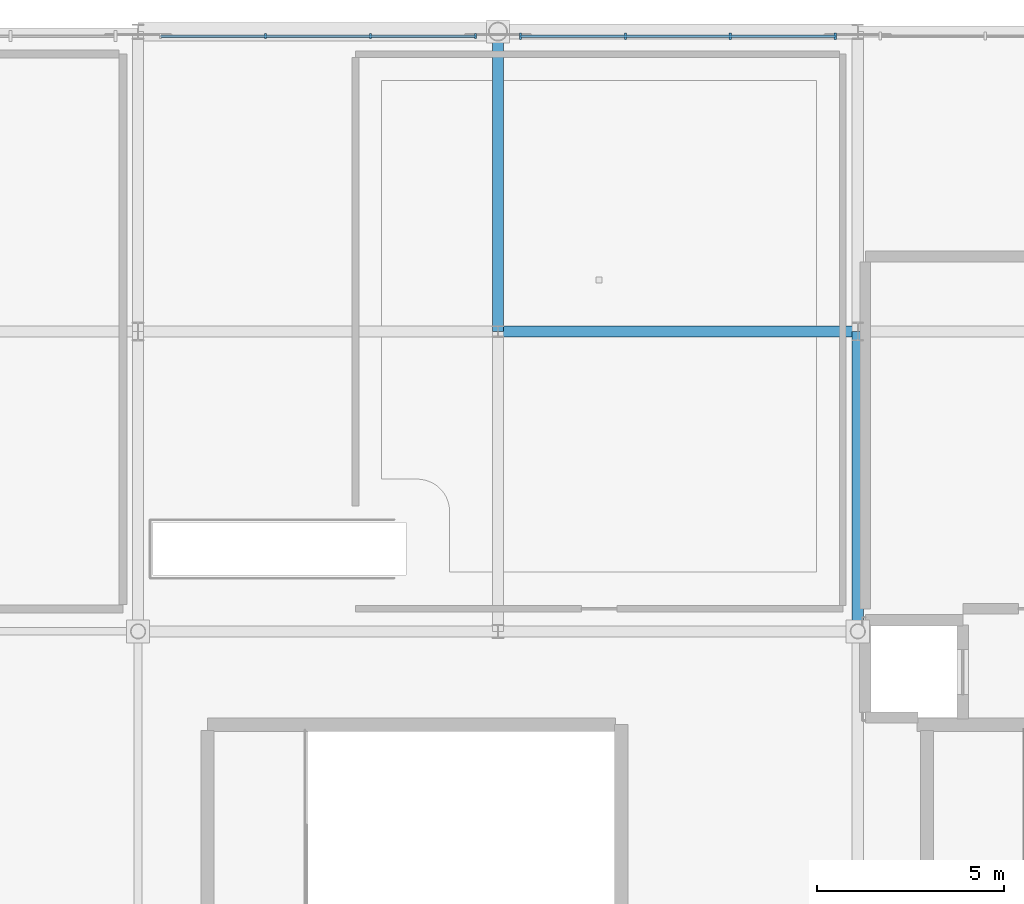
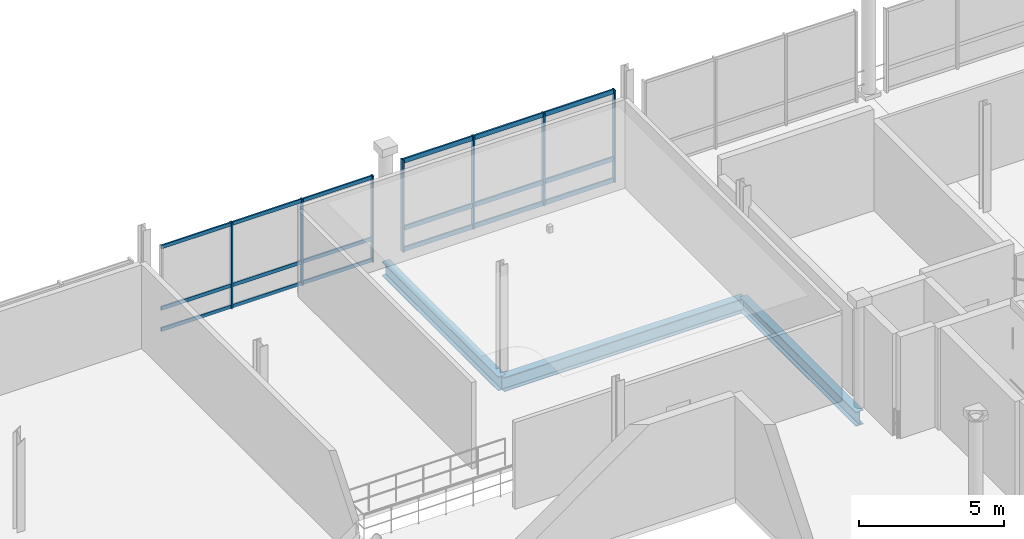
# One storey, part 8 of 26: 13 members, 3 beams, 2 elements without a shape of their own.
"""IFC4 building model written with IfcOpenShell, lengths in metres."""

import ifcopenshell
import ifcopenshell.guid

model = None  # the IFC model being written
_history = None  # IfcOwnerHistory: only IFC2X3 demands one
_inside = {}  # id of a spatial element -> (the spatial element, [elements in it])
_under = {}  # id of a project, library or spatial element -> (it, [spatial elements below it])
_declared = {}  # id of a project -> (the project, [libraries it declares])
_typed = {}  # id of a type object -> (the type object, [elements of that type])
_made_of = {}  # id of a material, layer set ... -> (it, [elements and type objects made of it])


def new_model(schema):
    """Start an empty IFC model of exactly this schema.

    Asked for "IFC4X3", IfcOpenShell would pick the latest addendum, in which some entities
    have other attributes; the version numbers below select the first issue.
    IFC2X3 requires an IfcOwnerHistory on every rooted entity: one is made here for all.
    """
    global model, _history
    if schema == "IFC4X3":
        model = ifcopenshell.file(schema_version=(4, 3, 0, 0))
    else:
        model = ifcopenshell.file(schema=schema)
    _inside.clear()
    _under.clear()
    _declared.clear()
    _typed.clear()
    _made_of.clear()
    _history = None
    if model.schema == "IFC2X3":
        org = make("IfcOrganization", Name="unknown")
        user = make(
            "IfcPersonAndOrganization",
            ThePerson=make("IfcPerson", FamilyName="unknown"),
            TheOrganization=org,
        )
        app = make(
            "IfcApplication",
            ApplicationDeveloper=org,
            Version="unknown",
            ApplicationFullName="unknown",
            ApplicationIdentifier="unknown",
        )
        _history = make(
            "IfcOwnerHistory",
            OwningUser=user,
            OwningApplication=app,
            ChangeAction="ADDED",
            CreationDate=0,
        )
    return model


def make(cls, **values):
    """One entity of the class cls with the attributes given. An attribute that is None is left unset."""
    return model.create_entity(
        cls, **{name: value for name, value in values.items() if value is not None}
    )


def rooted(cls, **values):
    """An entity with a GlobalId (a new one), such as an element, a storey or a relation."""
    return make(cls, GlobalId=ifcopenshell.guid.new(), OwnerHistory=_history, **values)


def si_unit(unit_type, name, prefix=None):
    """IfcSIUnit, for example si_unit("LENGTHUNIT", "METRE", prefix="MILLI")."""
    return make("IfcSIUnit", UnitType=unit_type, Prefix=prefix, Name=name)


def assignment(units):
    """IfcUnitAssignment: the units of a project."""
    return None if units is None else make("IfcUnitAssignment", Units=units)


def point(xyz):
    """IfcCartesianPoint."""
    return None if xyz is None else make("IfcCartesianPoint", Coordinates=xyz)


def direction(xyz):
    """IfcDirection."""
    return None if xyz is None else make("IfcDirection", DirectionRatios=xyz)


def frame(location, z_axis=None, x_axis=None):
    """IfcAxis2Placement3D, a coordinate frame: its origin and axes. An axis left out is left unset."""
    return make(
        "IfcAxis2Placement3D",
        Location=point(location),
        Axis=direction(z_axis),
        RefDirection=direction(x_axis),
    )


def frame_2d(location, x_axis=None):
    """IfcAxis2Placement2D, a coordinate frame in the plane: its origin and x axis."""
    return make(
        "IfcAxis2Placement2D", Location=point(location), RefDirection=direction(x_axis)
    )


def origin():
    """The frame at (0, 0, 0) with its axes left unset."""
    return frame((0.0, 0.0, 0.0))


def origin_2d():
    """The frame at (0, 0) in the plane with its x axis left unset."""
    return frame_2d((0.0, 0.0))


def place(relative_to, where):
    """IfcLocalPlacement: puts the frame where relative to a parent placement (None: the world)."""
    return make(
        "IfcLocalPlacement", PlacementRelTo=relative_to, RelativePlacement=where
    )


def context(
    kind, dimensions, precision=None, world=None, true_north=None, identifier=None
):
    """IfcGeometricRepresentationContext, for example the 3D "Model" context."""
    return make(
        "IfcGeometricRepresentationContext",
        ContextIdentifier=identifier,
        ContextType=kind,
        CoordinateSpaceDimension=dimensions,
        Precision=precision,
        WorldCoordinateSystem=world,
        TrueNorth=true_north,
    )


def subcontext(parent, identifier, kind, view, scale=None):
    """IfcGeometricRepresentationSubContext, for example "Body" below "Model"."""
    return make(
        "IfcGeometricRepresentationSubContext",
        ContextIdentifier=identifier,
        ContextType=kind,
        ParentContext=parent,
        TargetScale=scale,
        TargetView=view,
    )


def project(units=None, contexts=None):
    """IfcProject with its units and contexts."""
    return rooted(
        "IfcProject",
        Name="project",
        RepresentationContexts=contexts,
        UnitsInContext=assignment(units),
    )


def spatial(cls, under=None, at=None, **own):
    """A site, building, storey or space (cls), placed at a placement, below another one or the project."""
    s = rooted(cls, ObjectPlacement=at, **own)
    if under is not None:
        _under.setdefault(under.id(), (under, []))[1].append(s)
    return s


def profile(cls, at=None, kind="AREA", **sizes):
    """A parametric profile (cls). Its sizes go by their IFC names, for example OverallWidth=200.0."""
    return make(cls, ProfileType=kind, Position=at, **sizes)


def rectangle(**sizes):
    """IfcRectangleProfileDef."""
    return profile("IfcRectangleProfileDef", **sizes)


def i_section(**sizes):
    """IfcIShapeProfileDef."""
    return profile("IfcIShapeProfileDef", **sizes)


def extrude(swept, where, along, depth):
    """IfcExtrudedAreaSolid: the profile swept, set in the frame where, extruded along a direction by depth."""
    return make(
        "IfcExtrudedAreaSolid",
        SweptArea=swept,
        Position=where,
        ExtrudedDirection=direction(along),
        Depth=depth,
    )


def shape(context_of_items, identifier, shape_type, items):
    """IfcShapeRepresentation: the items that make up one representation, for example the "Body"."""
    return make(
        "IfcShapeRepresentation",
        ContextOfItems=context_of_items,
        RepresentationIdentifier=identifier,
        RepresentationType=shape_type,
        Items=items,
    )


def material(Name=None, Category=None):
    """IfcMaterial."""
    return make("IfcMaterial", Name=Name, Category=Category)


def material_profile(
    of_material, cross_section, Name=None, Category=None, Priority=None
):
    """IfcMaterialProfile: a cross section and its material."""
    return make(
        "IfcMaterialProfile",
        Name=Name,
        Material=of_material,
        Profile=cross_section,
        Priority=Priority,
        Category=Category,
    )


def profile_set(profiles, Name=None, composite=None):
    """IfcMaterialProfileSet."""
    return make(
        "IfcMaterialProfileSet",
        Name=Name,
        MaterialProfiles=profiles,
        CompositeProfile=composite,
    )


def made_of(thing, what):
    """Note that an element or type object is made of a material, layer set ...; save() writes the relation."""
    if what is not None:
        _made_of.setdefault(what.id(), (what, []))[1].append(thing)
    return thing


def type_object(cls, material=None, **own):
    """A type object (cls), such as IfcWallType, which elements share."""
    return made_of(rooted(cls, **own), material)


def element(
    cls,
    number,
    at=None,
    inside=None,
    cuts=None,
    type_object=None,
    material=None,
    context=None,
    identifier="Body",
    shape_type=None,
    held_by="IfcProductDefinitionShape",
    body=None,
    shapes=None,
    **own,
):
    """One element of the class cls, such as IfcWall. Its Tag is "e" and its number.

    at: its placement. inside: the storey or other place that contains it. cuts: it is an
    opening in that element (IfcRelVoidsElement). A single representation is given by context,
    identifier, shape_type and body (its items); several are given by shapes. held_by: the class
    of the entity that holds the representations. save() writes the other relations.
    """
    e = rooted(cls, Tag="e%d" % number, ObjectPlacement=at, **own)
    if body is not None:
        shapes = [shape(context, identifier, shape_type, body)]
    if shapes is not None:
        e.Representation = make(held_by, Representations=shapes)
    if inside is not None:
        _inside.setdefault(inside.id(), (inside, []))[1].append(e)
    if cuts is not None:
        rooted(
            "IfcRelVoidsElement", RelatingBuildingElement=cuts, RelatedOpeningElement=e
        )
    if type_object is not None:
        _typed.setdefault(type_object.id(), (type_object, []))[1].append(e)
    return made_of(e, material)


def aggregate(whole, parts):
    """IfcRelAggregates: a whole, such as a stair, and the parts it consists of."""
    return rooted("IfcRelAggregates", RelatingObject=whole, RelatedObjects=parts)


def save(model, path):
    """Write the relations noted so far, then the file.

    IfcRelAggregates (storeys below a building ...), IfcRelContainedInSpatialStructure (elements
    in a storey), IfcRelDefinesByType, IfcRelAssociatesMaterial and IfcRelDeclares: one each for
    every whole, place, type object, material and project.
    """
    for whole, parts in _under.values():
        aggregate(whole, parts)
    for where, things in _inside.values():
        rooted(
            "IfcRelContainedInSpatialStructure",
            RelatedElements=things,
            RelatingStructure=where,
        )
    for kind, things in _typed.values():
        rooted("IfcRelDefinesByType", RelatedObjects=things, RelatingType=kind)
    for what, things in _made_of.values():
        rooted("IfcRelAssociatesMaterial", RelatedObjects=things, RelatingMaterial=what)
    for by, libraries in _declared.values():
        rooted("IfcRelDeclares", RelatingContext=by, RelatedDefinitions=libraries)
    model.write(path)


model = new_model("IFC4")

# Units and contexts
model_context = context("Model", 3, precision=1e-05, world=origin(), true_north=direction((0.0, 1.0)))
body_context = subcontext(model_context, "Body", "Model", "MODEL_VIEW")
ifc_project = project(units=[si_unit("LENGTHUNIT", "METRE"), si_unit("AREAUNIT", "SQUARE_METRE"), si_unit("VOLUMEUNIT", "CUBIC_METRE"), si_unit("PLANEANGLEUNIT", "RADIAN"), si_unit("MASSUNIT", "GRAM", prefix="KILO")], contexts=[model_context])

# Site, building, storey
site_placement = place(None, origin())
site = spatial("IfcSite", under=ifc_project, at=site_placement, CompositionType="ELEMENT")
building_placement = place(site_placement, origin())
building = spatial("IfcBuilding", under=site, at=building_placement, Name="Danafjord Basin Convention Centre", CompositionType="ELEMENT")
storey_placement = place(building_placement, frame((0.0, 0.0, 24.89990234375)))
storey = spatial("IfcBuildingStorey", under=building, at=storey_placement, Name="L05", CompositionType="ELEMENT", Elevation=24.89990234375)

# Beams
ifc_material_1 = material(Name="Steel S355", Category="steel")
ifc_material_profile_1 = material_profile(ifc_material_1, i_section(OverallWidth=0.300048828125, OverallDepth=0.60009765625, WebThickness=0.015380859375, FlangeThickness=0.030029296875, FilletRadius=0.027099609375, at=origin_2d()), Name="HEB 600")
ifc_profile_set_1 = profile_set([ifc_material_profile_1], Name="Steel S355")
beam_type = type_object("IfcBeamType", Name="BEAM-BM-HEB600", PredefinedType="BEAM", material=ifc_profile_set_1)
beam_placement = place(storey_placement, frame((38.39990234375, 32.0, -0.5498046875), z_axis=(1.0, 0.0, 0.0), x_axis=(0.0, 1.0, 0.0)))
element("IfcBeam", 1, at=beam_placement, inside=storey, type_object=beam_type, Name="L05 girder BM-HEB600", PredefinedType="BEAM", context=body_context, shape_type="SweptSolid", body=[
    extrude(i_section(OverallWidth=0.300048828125, OverallDepth=0.60009765625, WebThickness=0.015380859375, FlangeThickness=0.030029296875, FilletRadius=0.027099609375, at=origin_2d()), origin(), (0.0, 0.0, 1.0), 9.60009765625),
])
for number, where, z_axis, x_axis, name in (
    (2, (38.39990234375, 32.0, -0.5498046875), (0.0, 1.0, 0.0), (-1.0, 0.0, 0.0), "L05 transverse girder BM-HEB600"),
    (3, (48.0, 24.0, -0.5498046875), (0.0, 1.0, 0.0), (-1.0, 0.0, 0.0), "L05 transverse girder BM-HEB600"),
):
    element("IfcBeam", number, at=place(storey_placement, frame(where, z_axis=z_axis, x_axis=x_axis)), inside=storey, type_object=beam_type, Name=name, PredefinedType="BEAM", context=body_context, shape_type="SweptSolid", body=[
        extrude(i_section(OverallWidth=0.300048828125, OverallDepth=0.60009765625, WebThickness=0.015380859375, FlangeThickness=0.030029296875, FilletRadius=0.027099609375, at=origin_2d()), origin(), (0.0, 0.0, 1.0), 8.0),
    ])

# Curtain wall, members
ifc_material_2 = material(Name="Anodised aluminium and triple glazing", Category="aluminium")
curtain_wall_type = type_object("IfcCurtainWallType", Name="CW-CW-TERR", PredefinedType="NOTDEFINED", material=ifc_material_2)
curtain_wall_1_placement = place(storey_placement, origin())
curtain_wall_1 = element("IfcCurtainWall", 4, at=curtain_wall_1_placement, inside=storey, type_object=curtain_wall_type, Name="L05 CW-TERR unitised curtain wall bay 100", PredefinedType="NOTDEFINED")
ifc_material_3 = material(Name="Anodised aluminium EN AW-6060", Category="aluminium")
ifc_material_profile_2 = material_profile(ifc_material_3, rectangle(XDim=0.06005859375, YDim=0.139892578125, at=origin_2d()), Name="MULL 60x140")
ifc_profile_set_2 = profile_set([ifc_material_profile_2], Name="Anodised aluminium EN AW-6060")
member_type_1 = type_object("IfcMemberType", Name="MEM-ML-140", PredefinedType="MULLION", material=ifc_profile_set_2)
member_1_placement = place(storey_placement, frame((37.800048828125, 39.8798828125, -0.02490234375), z_axis=(0.0, 0.0, 1.0), x_axis=(-1.0, 0.0, 0.0)))
member_1 = element("IfcMember", 5, at=member_1_placement, type_object=member_type_1, Name="CW-L05-100 mullion 1", PredefinedType="MULLION", context=body_context, shape_type="SweptSolid", body=[
    extrude(rectangle(XDim=0.06005859375, YDim=0.139892578125, at=origin_2d()), origin(), (0.0, 0.0, 1.0), 3.625),
])
member_2_placement = place(storey_placement, frame((35.0, 39.8798828125, -0.02490234375), z_axis=(0.0, 0.0, 1.0), x_axis=(-1.0, 0.0, 0.0)))
member_2 = element("IfcMember", 6, at=member_2_placement, type_object=member_type_1, Name="CW-L05-100 mullion 2", PredefinedType="MULLION", context=body_context, shape_type="SweptSolid", body=[
    extrude(rectangle(XDim=0.06005859375, YDim=0.139892578125, at=origin_2d()), origin(), (0.0, 0.0, 1.0), 3.625),
])
member_3_placement = place(storey_placement, frame((32.199951171875, 39.8798828125, -0.02490234375), z_axis=(0.0, 0.0, 1.0), x_axis=(-1.0, 0.0, 0.0)))
member_3 = element("IfcMember", 7, at=member_3_placement, type_object=member_type_1, Name="CW-L05-100 mullion 3", PredefinedType="MULLION", context=body_context, shape_type="SweptSolid", body=[
    extrude(rectangle(XDim=0.06005859375, YDim=0.139892578125, at=origin_2d()), origin(), (0.0, 0.0, 1.0), 3.625),
])

curtain_wall_2_placement = place(storey_placement, origin())
curtain_wall_2 = element("IfcCurtainWall", 8, at=curtain_wall_2_placement, inside=storey, type_object=curtain_wall_type, Name="L05 CW-TERR unitised curtain wall bay 101", PredefinedType="NOTDEFINED")
ifc_material_profile_3 = material_profile(ifc_material_3, rectangle(XDim=0.06005859375, YDim=0.179931640625, at=origin_2d()), Name="MULL 60x180")
ifc_profile_set_3 = profile_set([ifc_material_profile_3], Name="Anodised aluminium EN AW-6060")
member_type_2 = type_object("IfcMemberType", Name="MEM-ML-180", PredefinedType="MULLION", material=ifc_profile_set_3)
member_4_placement = place(storey_placement, frame((47.39990234375, 39.8798828125, -0.02490234375), z_axis=(0.0, 0.0, 1.0), x_axis=(-1.0, 0.0, 0.0)))
member_4 = element("IfcMember", 9, at=member_4_placement, type_object=member_type_2, Name="CW-L05-101 mullion 1", PredefinedType="MULLION", context=body_context, shape_type="SweptSolid", body=[
    extrude(rectangle(XDim=0.06005859375, YDim=0.179931640625, at=origin_2d()), origin(), (0.0, 0.0, 1.0), 3.875),
])
member_5_placement = place(storey_placement, frame((44.60009765625, 39.8798828125, -0.02490234375), z_axis=(0.0, 0.0, 1.0), x_axis=(-1.0, 0.0, 0.0)))
member_5 = element("IfcMember", 10, at=member_5_placement, type_object=member_type_2, Name="CW-L05-101 mullion 2", PredefinedType="MULLION", context=body_context, shape_type="SweptSolid", body=[
    extrude(rectangle(XDim=0.06005859375, YDim=0.179931640625, at=origin_2d()), origin(), (0.0, 0.0, 1.0), 3.875),
])
member_6_placement = place(storey_placement, frame((41.800048828125, 39.8798828125, -0.02490234375), z_axis=(0.0, 0.0, 1.0), x_axis=(-1.0, 0.0, 0.0)))
member_6 = element("IfcMember", 11, at=member_6_placement, type_object=member_type_2, Name="CW-L05-101 mullion 3", PredefinedType="MULLION", context=body_context, shape_type="SweptSolid", body=[
    extrude(rectangle(XDim=0.06005859375, YDim=0.179931640625, at=origin_2d()), origin(), (0.0, 0.0, 1.0), 3.875),
])
member_7_placement = place(storey_placement, frame((39.0, 39.8798828125, -0.02490234375), z_axis=(0.0, 0.0, 1.0), x_axis=(-1.0, 0.0, 0.0)))
member_7 = element("IfcMember", 12, at=member_7_placement, type_object=member_type_2, Name="CW-L05-101 mullion 4", PredefinedType="MULLION", context=body_context, shape_type="SweptSolid", body=[
    extrude(rectangle(XDim=0.06005859375, YDim=0.179931640625, at=origin_2d()), origin(), (0.0, 0.0, 1.0), 3.875),
])

# Member
ifc_material_profile_4 = material_profile(ifc_material_3, rectangle(XDim=0.06005859375, YDim=0.14990234375, at=origin_2d()), Name="TRAN 60x150")
ifc_profile_set_4 = profile_set([ifc_material_profile_4], Name="Anodised aluminium EN AW-6060")
member_type_3 = type_object("IfcMemberType", Name="MEM-TR-150", PredefinedType="USERDEFINED", material=ifc_profile_set_4)
member_8_placement = place(storey_placement, frame((37.800048828125, 39.8798828125, 0.06005859375), z_axis=(-1.0, 0.0, 0.0), x_axis=(0.0, -1.0, 0.0)))
member_8 = element("IfcMember", 13, at=member_8_placement, type_object=member_type_3, Name="CW-L05-100 transom 1", ObjectType="TRANSOM", PredefinedType="USERDEFINED", context=body_context, shape_type="SweptSolid", body=[
    extrude(rectangle(XDim=0.06005859375, YDim=0.14990234375, at=origin_2d()), origin(), (0.0, 0.0, 1.0), 8.400146484375),
])

member_9_placement = place(storey_placement, frame((37.800048828125, 39.8798828125, 0.9501953125), z_axis=(-1.0, 0.0, 0.0), x_axis=(0.0, -1.0, 0.0)))
member_9 = element("IfcMember", 14, at=member_9_placement, type_object=member_type_3, Name="CW-L05-100 transom 2", ObjectType="TRANSOM", PredefinedType="USERDEFINED", context=body_context, shape_type="SweptSolid", body=[
    extrude(rectangle(XDim=0.06005859375, YDim=0.14990234375, at=origin_2d()), origin(), (0.0, 0.0, 1.0), 8.400146484375),
])

member_10_placement = place(storey_placement, frame((37.800048828125, 39.8798828125, 3.530029296875), z_axis=(-1.0, 0.0, 0.0), x_axis=(0.0, -1.0, 0.0)))
member_10 = element("IfcMember", 15, at=member_10_placement, type_object=member_type_3, Name="CW-L05-100 transom 3", ObjectType="TRANSOM", PredefinedType="USERDEFINED", context=body_context, shape_type="SweptSolid", body=[
    extrude(rectangle(XDim=0.06005859375, YDim=0.14990234375, at=origin_2d()), origin(), (0.0, 0.0, 1.0), 8.400146484375),
])

aggregate(curtain_wall_1, [member_1, member_2, member_3, member_8, member_9, member_10])

ifc_material_profile_5 = material_profile(ifc_material_3, rectangle(XDim=0.06494140625, YDim=0.18994140625, at=origin_2d()), Name="TRAN 65x190")
ifc_profile_set_5 = profile_set([ifc_material_profile_5], Name="Anodised aluminium EN AW-6060")
member_type_4 = type_object("IfcMemberType", Name="MEM-TR-190", PredefinedType="USERDEFINED", material=ifc_profile_set_5)
member_11_placement = place(storey_placement, frame((47.39990234375, 39.8798828125, 0.06005859375), z_axis=(-1.0, 0.0, 0.0), x_axis=(0.0, -1.0, 0.0)))
member_11 = element("IfcMember", 16, at=member_11_placement, type_object=member_type_4, Name="CW-L05-101 transom 1", ObjectType="TRANSOM", PredefinedType="USERDEFINED", context=body_context, shape_type="SweptSolid", body=[
    extrude(rectangle(XDim=0.06494140625, YDim=0.18994140625, at=origin_2d()), origin(), (0.0, 0.0, 1.0), 8.39990234375),
])

member_12_placement = place(storey_placement, frame((47.39990234375, 39.8798828125, 0.9501953125), z_axis=(-1.0, 0.0, 0.0), x_axis=(0.0, -1.0, 0.0)))
member_12 = element("IfcMember", 17, at=member_12_placement, type_object=member_type_4, Name="CW-L05-101 transom 2", ObjectType="TRANSOM", PredefinedType="USERDEFINED", context=body_context, shape_type="SweptSolid", body=[
    extrude(rectangle(XDim=0.06494140625, YDim=0.18994140625, at=origin_2d()), origin(), (0.0, 0.0, 1.0), 8.39990234375),
])

member_13_placement = place(storey_placement, frame((47.39990234375, 39.8798828125, 3.780029296875), z_axis=(-1.0, 0.0, 0.0), x_axis=(0.0, -1.0, 0.0)))
member_13 = element("IfcMember", 18, at=member_13_placement, type_object=member_type_4, Name="CW-L05-101 transom 3", ObjectType="TRANSOM", PredefinedType="USERDEFINED", context=body_context, shape_type="SweptSolid", body=[
    extrude(rectangle(XDim=0.06494140625, YDim=0.18994140625, at=origin_2d()), origin(), (0.0, 0.0, 1.0), 8.39990234375),
])

aggregate(curtain_wall_2, [member_4, member_5, member_6, member_7, member_11, member_12, member_13])

save(model, "model.ifc")
